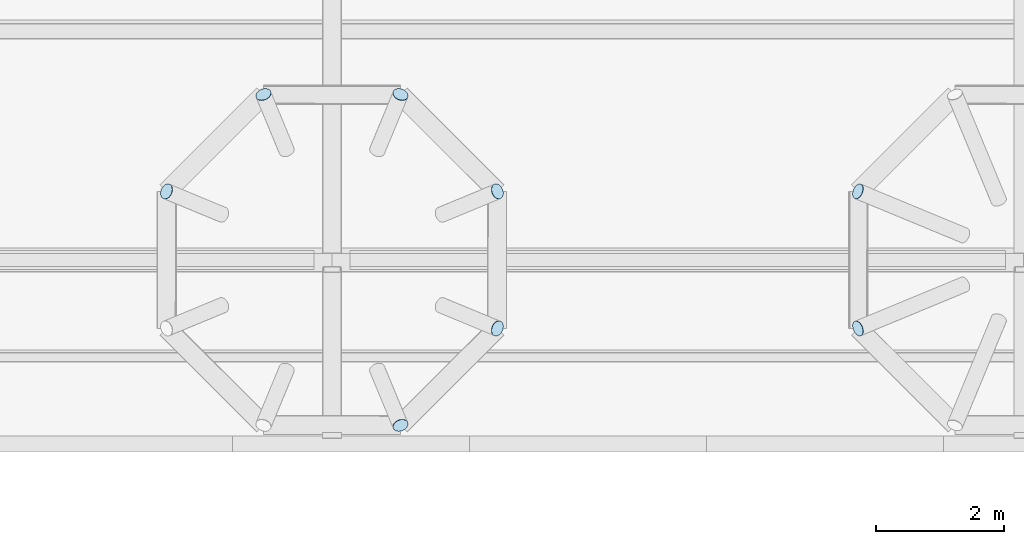
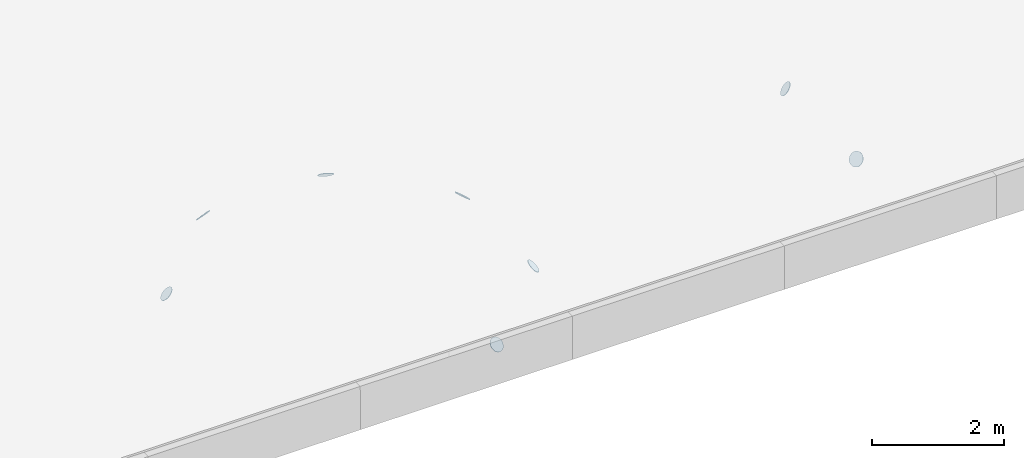
# One storey, part 38 of 56: 8 plates.
"""IFC4 building model written with IfcOpenShell, lengths in metres."""

from ifc_helpers import new_model, si_unit, direction, frame, origin, origin_2d, place, context, subcontext, project, spatial, circle, extrude, material, material_profile, profile_set, type_object, element, save


model = new_model("IFC4")

# Units and contexts
model_context = context("Model", 3, precision=1e-05, world=origin(), true_north=direction((0.0, 1.0)))
body_context = subcontext(model_context, "Body", "Model", "MODEL_VIEW")
ifc_project = project(units=[si_unit("LENGTHUNIT", "METRE"), si_unit("AREAUNIT", "SQUARE_METRE"), si_unit("VOLUMEUNIT", "CUBIC_METRE"), si_unit("PLANEANGLEUNIT", "RADIAN"), si_unit("MASSUNIT", "GRAM", prefix="KILO")], contexts=[model_context])

# Site, building, storey
site_placement = place(None, origin())
site = spatial("IfcSite", under=ifc_project, at=site_placement, CompositionType="ELEMENT")
building_placement = place(site_placement, origin())
building = spatial("IfcBuilding", under=site, at=building_placement, Name="Magnolia Steps Interchange", CompositionType="ELEMENT")
storey_placement = place(building_placement, frame((0.0, 0.0, 8.699951171875)))
storey = spatial("IfcBuildingStorey", under=building, at=storey_placement, Name="L02", CompositionType="ELEMENT", Elevation=8.699951171875)

# Plates
ifc_material = material(Name="Steel Q355B", Category="steel")
ifc_material_profile = material_profile(ifc_material, circle(Radius=0.12255859375, at=origin_2d()), Name="End plate CHS245x12")
ifc_profile_set = profile_set([ifc_material_profile], Name="Steel Q355B")
plate_type = type_object("IfcPlateType", Name="End plate CHS245x12", PredefinedType="SHEET", material=ifc_profile_set)
for number, where, z_axis, x_axis, name in (
    (1, (98.97998046875, 43.46875, 1.298828125), (0.664583318381, 0.275279424158, 0.694658370398), (-0.382683432789, 0.923879532336, 0.0), "End plate Tree rib"),
    (2, (97.46875, 44.97998046875, 1.298828125), (0.275279424158, 0.664583318381, 0.694658370398), (-0.923879532336, 0.382683432789, 0.0), "End plate Tree rib"),
    (3, (95.331298828125, 44.97998046875, 1.298828125), (-0.275279424158, 0.664583318381, 0.694658370398), (-0.923879532336, -0.382683432789, 0.0), "End plate Tree rib"),
    (4, (93.820068359375, 43.46875, 1.298828125), (-0.664583318381, 0.275279424158, 0.694658370398), (-0.382683432789, -0.923879532336, 0.0), "End plate Tree rib"),
    (5, (97.46875, 39.820068359375, 1.298828125), (0.275279424158, -0.664583318381, 0.694658370398), (0.923879532336, 0.382683432789, 0.0), "End plate Tree rib"),
    (6, (98.97998046875, 41.331298828125, 1.298828125), (0.664583318381, -0.275279424158, 0.694658370398), (0.382683432789, 0.923879532336, 0.0), "End plate Tree rib"),
    (7, (104.6201171875, 43.46875, 1.298828125), (-0.748577885793, 0.310071112914, 0.586077685838), (-0.382683432498, -0.923879532456, 0.0), "End plate Tree rib"),
    (8, (104.6201171875, 41.331298828125, 1.298828125), (-0.748577885793, -0.310071112914, 0.586077685838), (0.382683432498, -0.923879532456, 0.0), "End plate Tree rib"),
):
    element("IfcPlate", number, at=place(storey_placement, frame(where, z_axis=z_axis, x_axis=x_axis)), inside=storey, type_object=plate_type, Name=name, PredefinedType="SHEET", context=body_context, shape_type="SweptSolid", body=[
        extrude(circle(Radius=0.12255859375, at=origin_2d()), origin(), (0.0, 0.0, 1.0), 0.008056640625),
    ])

save(model, "model.ifc")
